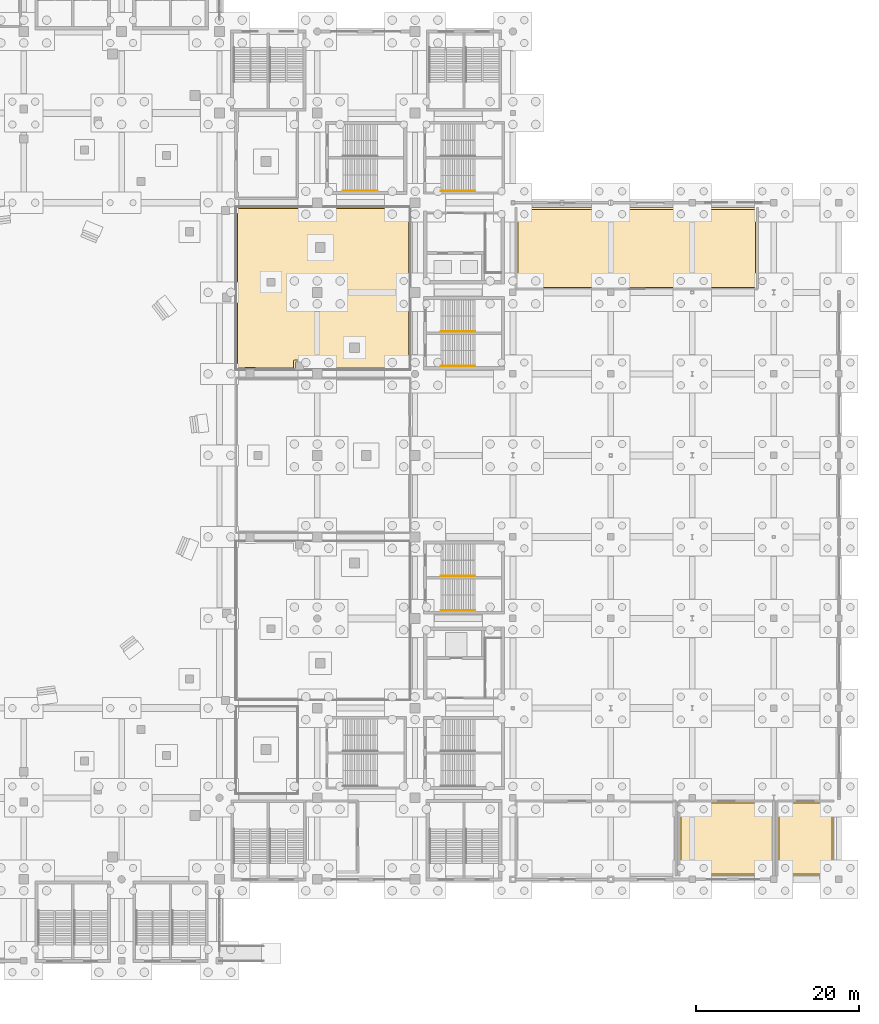
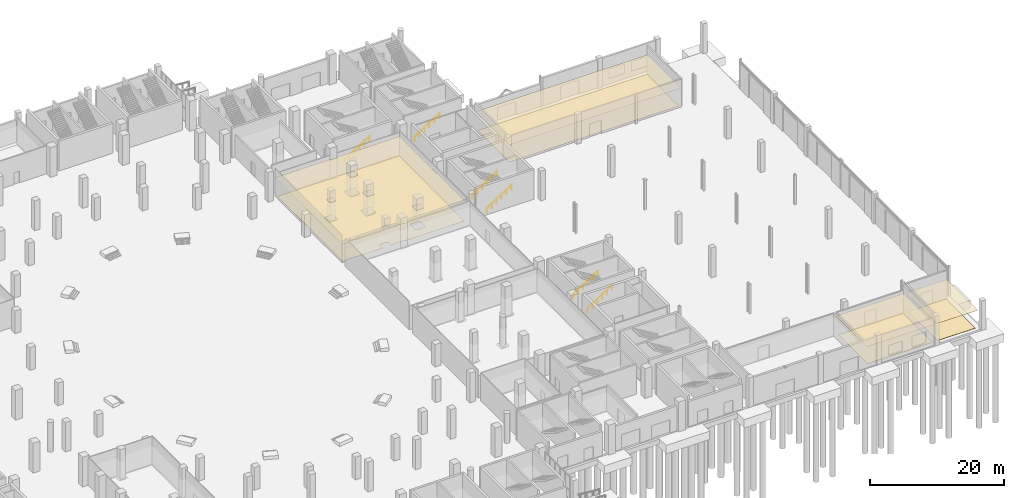
# One storey, part 68 of 70: 8 coverings, 6 railings.
"""IFC4 building model written with IfcOpenShell, lengths in metres."""

from ifc_helpers import new_model, si_unit, direction, frame, origin, origin_2d, place, context, subcontext, project, spatial, polyline, circle, outline, extrude, material, layer, layer_set, type_object, element, save


model = new_model("IFC4")

# Units and contexts
model_context = context("Model", 3, precision=1e-05, world=origin(), true_north=direction((0.0, 1.0)))
body_context = subcontext(model_context, "Body", "Model", "MODEL_VIEW")
ifc_project = project(units=[si_unit("LENGTHUNIT", "METRE"), si_unit("AREAUNIT", "SQUARE_METRE"), si_unit("VOLUMEUNIT", "CUBIC_METRE"), si_unit("PLANEANGLEUNIT", "RADIAN"), si_unit("MASSUNIT", "GRAM", prefix="KILO")], contexts=[model_context])

# Site, building, storey
site_placement = place(None, origin())
site = spatial("IfcSite", under=ifc_project, at=site_placement, CompositionType="ELEMENT")
building_placement = place(site_placement, origin())
building = spatial("IfcBuilding", under=site, at=building_placement, Name="Brinegate Civic Arena", CompositionType="ELEMENT")
storey_placement = place(building_placement, origin())
storey = spatial("IfcBuildingStorey", under=building, at=storey_placement, Name="L00", CompositionType="ELEMENT", Elevation=0.0)

# Coverings
ifc_material_1 = material(Name="Acoustic perforated aluminium ceiling", Category="aluminium")
ifc_layer_1 = layer(ifc_material_1, 0.034912109375, Name="Acoustic perforated aluminium ceiling")
ifc_layer_set_1 = layer_set([ifc_layer_1], Name="Acoustic perforated aluminium ceiling")
covering_type_1 = type_object("IfcCoveringType", Name="CEILING-ACOUSTIC-35", PredefinedType="CEILING", material=ifc_layer_set_1)
covering_1_placement = place(storey_placement, frame((0.0, 0.0, 3.31494140625)))
element("IfcCovering", 1, at=covering_1_placement, inside=storey, type_object=covering_type_1, Name="Acoustic Ceiling L00-005", PredefinedType="CEILING", context=body_context, shape_type="SweptSolid", body=[
    extrude(outline(polyline([(155.389892578125, 82.610107421875), (155.389892578125, 81.389892578125), (155.419921875, 81.389892578125), (155.419921875, 72.5), (155.419921875, 72.498046875), (155.419921875, 72.49609375), (155.4189453125, 72.493896484375), (155.41796875, 72.491943359375), (155.41796875, 72.490966796875), (155.4169921875, 72.489013671875), (155.4150390625, 72.487060546875), (155.4140625, 72.486083984375), (155.4130859375, 72.485107421875), (155.410888671875, 72.48291015625), (155.408935546875, 72.48193359375), (155.407958984375, 72.48193359375), (155.406005859375, 72.48095703125), (155.404052734375, 72.47998046875), (155.402099609375, 72.47998046875), (155.39990234375, 72.47998046875), (144.610107421875, 72.47998046875), (144.610107421875, 72.610107421875), (143.389892578125, 72.610107421875), (143.389892578125, 72.47998046875), (136.280029296875, 72.47998046875), (136.280029296875, 72.554931640625), (135.260009765625, 72.554931640625), (135.260009765625, 72.47998046875), (134.0, 72.47998046875), (133.998046875, 72.47998046875), (133.99609375, 72.47998046875), (133.993896484375, 72.48095703125), (133.991943359375, 72.48193359375), (133.990966796875, 72.48193359375), (133.989013671875, 72.48291015625), (133.987060546875, 72.485107421875), (133.986083984375, 72.486083984375), (133.985107421875, 72.487060546875), (133.98291015625, 72.489013671875), (133.98193359375, 72.490966796875), (133.98193359375, 72.491943359375), (133.98095703125, 72.493896484375), (133.97998046875, 72.49609375), (133.97998046875, 72.498046875), (133.97998046875, 72.5), (133.97998046875, 92.5), (133.97998046875, 92.501953125), (133.97998046875, 92.50390625), (133.98095703125, 92.506103515625), (133.98193359375, 92.508056640625), (133.98193359375, 92.509033203125), (133.98291015625, 92.510986328125), (133.985107421875, 92.512939453125), (133.986083984375, 92.513916015625), (133.987060546875, 92.514892578125), (133.989013671875, 92.51708984375), (133.990966796875, 92.51806640625), (133.991943359375, 92.51806640625), (133.993896484375, 92.51904296875), (133.99609375, 92.52001953125), (133.998046875, 92.52001953125), (134.0, 92.52001953125), (143.389892578125, 92.52001953125), (143.389892578125, 92.389892578125), (144.610107421875, 92.389892578125), (144.610107421875, 92.52001953125), (155.389892578125, 92.52001953125), (155.389892578125, 92.389892578125), (155.419921875, 92.389892578125), (155.419921875, 82.610107421875), (155.389892578125, 82.610107421875)]), holes=[polyline([(142.2919921875, 73.485107421875), (141.322021484375, 73.485107421875), (141.322021484375, 72.514892578125), (142.2919921875, 72.514892578125), (142.2919921875, 73.485107421875)]), polyline([(149.178955078125, 75.81005859375), (147.958984375, 75.81005859375), (147.958984375, 74.590087890625), (149.178955078125, 74.590087890625), (149.178955078125, 75.81005859375)]), polyline([(144.610107421875, 82.610107421875), (143.389892578125, 82.610107421875), (143.389892578125, 81.389892578125), (144.610107421875, 81.389892578125), (144.610107421875, 82.610107421875)]), polyline([(138.7958984375, 83.735107421875), (137.825927734375, 83.735107421875), (137.825927734375, 82.764892578125), (138.7958984375, 82.764892578125), (138.7958984375, 83.735107421875)]), polyline([(144.98291015625, 88.110107421875), (143.762939453125, 88.110107421875), (143.762939453125, 86.889892578125), (144.98291015625, 86.889892578125), (144.98291015625, 88.110107421875)])]), origin(), (0.0, 0.0, 1.0), 0.03515625),
])
covering_2_placement = place(storey_placement, frame((0.0, 0.0, 3.31494140625)))
element("IfcCovering", 2, at=covering_2_placement, inside=storey, type_object=covering_type_1, Name="Acoustic Ceiling L00-010", PredefinedType="CEILING", context=body_context, shape_type="SweptSolid", body=[
    extrude(outline(polyline([(200.00390625, 19.6201171875), (200.006103515625, 19.618896484375), (200.008056640625, 19.617919921875), (200.009033203125, 19.617919921875), (200.010986328125, 19.616943359375), (200.012939453125, 19.614990234375), (200.013916015625, 19.614013671875), (200.014892578125, 19.613037109375), (200.01708984375, 19.611083984375), (200.01806640625, 19.60888671875), (200.01806640625, 19.60791015625), (200.01904296875, 19.60595703125), (200.02001953125, 19.60400390625), (200.02001953125, 19.60205078125), (200.02001953125, 19.60009765625), (200.02001953125, 10.409912109375), (199.590087890625, 10.409912109375), (199.590087890625, 10.3798828125), (190.409912109375, 10.3798828125), (190.409912109375, 10.409912109375), (189.590087890625, 10.409912109375), (189.590087890625, 10.3798828125), (188.39990234375, 10.3798828125), (188.39794921875, 10.3798828125), (188.39599609375, 10.3798828125), (188.39404296875, 10.381103515625), (188.39208984375, 10.382080078125), (188.39111328125, 10.382080078125), (188.388916015625, 10.383056640625), (188.386962890625, 10.385009765625), (188.385986328125, 10.385986328125), (188.385009765625, 10.386962890625), (188.383056640625, 10.388916015625), (188.382080078125, 10.39111328125), (188.382080078125, 10.39208984375), (188.381103515625, 10.39404296875), (188.3798828125, 10.39599609375), (188.3798828125, 10.39794921875), (188.3798828125, 10.39990234375), (188.3798828125, 19.60009765625), (188.3798828125, 19.60205078125), (188.3798828125, 19.60400390625), (188.381103515625, 19.60595703125), (188.382080078125, 19.60791015625), (188.382080078125, 19.60888671875), (188.383056640625, 19.611083984375), (188.385009765625, 19.613037109375), (188.385986328125, 19.614013671875), (188.386962890625, 19.614990234375), (188.388916015625, 19.616943359375), (188.39111328125, 19.617919921875), (188.39208984375, 19.617919921875), (188.39404296875, 19.618896484375), (188.39599609375, 19.6201171875), (188.39794921875, 19.6201171875), (188.39990234375, 19.6201171875), (189.590087890625, 19.6201171875), (189.590087890625, 19.590087890625), (190.409912109375, 19.590087890625), (190.409912109375, 19.6201171875), (200.0, 19.6201171875), (200.001953125, 19.6201171875), (200.00390625, 19.6201171875)])), origin(), (0.0, 0.0, 1.0), 0.03515625),
])
ifc_layer_2 = layer(ifc_material_1, 0.044921875, Name="Acoustic perforated aluminium ceiling")
ifc_layer_set_2 = layer_set([ifc_layer_2], Name="Acoustic perforated aluminium ceiling")
covering_type_2 = type_object("IfcCoveringType", Name="CEILING-BAFFLE-45", PredefinedType="CEILING", material=ifc_layer_set_2)
covering_3_placement = place(storey_placement, frame((0.0, 0.0, 3.304931640625)))
element("IfcCovering", 3, at=covering_3_placement, inside=storey, type_object=covering_type_2, Name="Acoustic Ceiling L00-011", PredefinedType="CEILING", context=body_context, shape_type="SweptSolid", body=[
    extrude(outline(polyline([(207.404052734375, 19.6201171875), (207.406005859375, 19.618896484375), (207.407958984375, 19.617919921875), (207.408935546875, 19.617919921875), (207.410888671875, 19.616943359375), (207.4130859375, 19.614990234375), (207.4140625, 19.614013671875), (207.4150390625, 19.613037109375), (207.4169921875, 19.611083984375), (207.41796875, 19.60888671875), (207.41796875, 19.60791015625), (207.4189453125, 19.60595703125), (207.419921875, 19.60400390625), (207.419921875, 19.60205078125), (207.419921875, 19.60009765625), (207.419921875, 10.39990234375), (207.419921875, 10.39794921875), (207.419921875, 10.39599609375), (207.4189453125, 10.39404296875), (207.41796875, 10.39208984375), (207.41796875, 10.39111328125), (207.4169921875, 10.388916015625), (207.4150390625, 10.386962890625), (207.4140625, 10.385986328125), (207.4130859375, 10.385009765625), (207.410888671875, 10.383056640625), (207.408935546875, 10.382080078125), (207.407958984375, 10.382080078125), (207.406005859375, 10.381103515625), (207.404052734375, 10.3798828125), (207.402099609375, 10.3798828125), (207.39990234375, 10.3798828125), (200.409912109375, 10.3798828125), (200.409912109375, 10.409912109375), (200.3798828125, 10.409912109375), (200.3798828125, 19.60009765625), (200.3798828125, 19.60205078125), (200.3798828125, 19.60400390625), (200.381103515625, 19.60595703125), (200.382080078125, 19.60791015625), (200.382080078125, 19.60888671875), (200.383056640625, 19.611083984375), (200.385009765625, 19.613037109375), (200.385986328125, 19.614013671875), (200.386962890625, 19.614990234375), (200.388916015625, 19.616943359375), (200.39111328125, 19.617919921875), (200.39208984375, 19.617919921875), (200.39404296875, 19.618896484375), (200.39599609375, 19.6201171875), (200.39794921875, 19.6201171875), (200.39990234375, 19.6201171875), (207.39990234375, 19.6201171875), (207.402099609375, 19.6201171875), (207.404052734375, 19.6201171875)])), origin(), (0.0, 0.0, 1.0), 0.045166015625),
])
ifc_layer_3 = layer(ifc_material_1, 0.01806640625, Name="Acoustic perforated aluminium ceiling")
ifc_layer_set_3 = layer_set([ifc_layer_3], Name="Acoustic perforated aluminium ceiling")
covering_type_3 = type_object("IfcCoveringType", Name="CEILING-MOISTURE-18", PredefinedType="CEILING", material=ifc_layer_set_3)
covering_4_placement = place(storey_placement, frame((0.0, 0.0, 3.33203125)))
element("IfcCovering", 4, at=covering_4_placement, inside=storey, type_object=covering_type_3, Name="Acoustic Ceiling L00-008", PredefinedType="CEILING", context=body_context, shape_type="SweptSolid", body=[
    extrude(outline(polyline([(198.00390625, 92.419921875), (198.006103515625, 92.4189453125), (198.008056640625, 92.41796875), (198.009033203125, 92.41796875), (198.010986328125, 92.4169921875), (198.012939453125, 92.4150390625), (198.013916015625, 92.4140625), (198.014892578125, 92.4130859375), (198.01708984375, 92.410888671875), (198.01806640625, 92.408935546875), (198.01806640625, 92.407958984375), (198.01904296875, 92.406005859375), (198.02001953125, 92.404052734375), (198.02001953125, 92.402099609375), (198.02001953125, 92.39990234375), (198.02001953125, 82.39990234375), (198.02001953125, 82.39794921875), (198.02001953125, 82.39599609375), (198.01904296875, 82.39404296875), (198.01806640625, 82.39208984375), (198.01806640625, 82.39111328125), (198.01708984375, 82.388916015625), (198.014892578125, 82.386962890625), (198.013916015625, 82.385986328125), (198.012939453125, 82.385009765625), (198.010986328125, 82.383056640625), (198.009033203125, 82.382080078125), (198.008056640625, 82.382080078125), (198.006103515625, 82.381103515625), (198.00390625, 82.3798828125), (198.001953125, 82.3798828125), (198.0, 82.3798828125), (180.409912109375, 82.3798828125), (180.409912109375, 82.409912109375), (179.590087890625, 82.409912109375), (179.590087890625, 82.3798828125), (168.409912109375, 82.3798828125), (168.409912109375, 82.409912109375), (168.3798828125, 82.409912109375), (168.3798828125, 92.39990234375), (168.3798828125, 92.402099609375), (168.3798828125, 92.404052734375), (168.381103515625, 92.406005859375), (168.382080078125, 92.407958984375), (168.382080078125, 92.408935546875), (168.383056640625, 92.410888671875), (168.385009765625, 92.4130859375), (168.385986328125, 92.4140625), (168.386962890625, 92.4150390625), (168.388916015625, 92.4169921875), (168.39111328125, 92.41796875), (168.39208984375, 92.41796875), (168.39404296875, 92.4189453125), (168.39599609375, 92.419921875), (168.39794921875, 92.419921875), (168.39990234375, 92.419921875), (198.0, 92.419921875), (198.001953125, 92.419921875), (198.00390625, 92.419921875)])), origin(), (0.0, 0.0, 1.0), 0.01806640625),
])
ifc_material_2 = material(Name="Polished coral terrazzo flooring")
ifc_layer_4 = layer(ifc_material_2, 0.013916015625, Name="Polished coral terrazzo flooring")
ifc_layer_set_4 = layer_set([ifc_layer_4], Name="Polished coral terrazzo flooring")
covering_type_4 = type_object("IfcCoveringType", Name="FLOORING-ACOUSTIC-14", PredefinedType="FLOORING", material=ifc_layer_set_4)
covering_5_placement = place(storey_placement, origin())
element("IfcCovering", 5, at=covering_5_placement, inside=storey, type_object=covering_type_4, Name="Flooring L00-005", PredefinedType="FLOORING", context=body_context, shape_type="SweptSolid", body=[
    extrude(outline(polyline([(134.22998046875, 72.72998046875), (134.22998046875, 92.27001953125), (143.1708984375, 92.27001953125), (143.181884765625, 92.2509765625), (143.197021484375, 92.23095703125), (143.212890625, 92.212890625), (143.23095703125, 92.197021484375), (143.2509765625, 92.181884765625), (143.27197265625, 92.169921875), (143.2939453125, 92.158935546875), (143.31689453125, 92.15087890625), (143.341064453125, 92.14501953125), (143.364990234375, 92.14111328125), (143.389892578125, 92.139892578125), (144.610107421875, 92.139892578125), (144.635009765625, 92.14111328125), (144.658935546875, 92.14501953125), (144.68310546875, 92.15087890625), (144.7060546875, 92.158935546875), (144.72802734375, 92.169921875), (144.7490234375, 92.181884765625), (144.76904296875, 92.197021484375), (144.787109375, 92.212890625), (144.802978515625, 92.23095703125), (144.818115234375, 92.2509765625), (144.8291015625, 92.27001953125), (155.169921875, 92.27001953125), (155.169921875, 82.72900390625), (155.169921875, 82.72802734375), (155.158935546875, 82.7060546875), (155.15087890625, 82.68310546875), (155.14501953125, 82.658935546875), (155.14111328125, 82.635009765625), (155.139892578125, 82.610107421875), (155.139892578125, 81.389892578125), (155.14111328125, 81.364990234375), (155.14501953125, 81.341064453125), (155.15087890625, 81.31689453125), (155.158935546875, 81.2939453125), (155.169921875, 81.27197265625), (155.169921875, 81.27099609375), (155.169921875, 72.72998046875), (144.8291015625, 72.72998046875), (144.818115234375, 72.7490234375), (144.802978515625, 72.76904296875), (144.787109375, 72.787109375), (144.76904296875, 72.802978515625), (144.7490234375, 72.818115234375), (144.72802734375, 72.830078125), (144.7060546875, 72.841064453125), (144.68310546875, 72.84912109375), (144.658935546875, 72.85498046875), (144.635009765625, 72.85888671875), (144.610107421875, 72.860107421875), (143.389892578125, 72.860107421875), (143.364990234375, 72.85888671875), (143.341064453125, 72.85498046875), (143.31689453125, 72.84912109375), (143.2939453125, 72.841064453125), (143.27197265625, 72.830078125), (143.2509765625, 72.818115234375), (143.23095703125, 72.802978515625), (143.212890625, 72.787109375), (143.197021484375, 72.76904296875), (143.181884765625, 72.7490234375), (143.1708984375, 72.72998046875), (142.5419921875, 72.72998046875), (142.5419921875, 73.485107421875), (142.541015625, 73.510009765625), (142.537109375, 73.533935546875), (142.531005859375, 73.55810546875), (142.52294921875, 73.5810546875), (142.511962890625, 73.60302734375), (142.5, 73.6240234375), (142.485107421875, 73.64404296875), (142.468994140625, 73.662109375), (142.450927734375, 73.677978515625), (142.430908203125, 73.693115234375), (142.409912109375, 73.705078125), (142.387939453125, 73.716064453125), (142.364990234375, 73.72412109375), (142.341064453125, 73.72998046875), (142.31689453125, 73.73388671875), (142.2919921875, 73.735107421875), (141.322021484375, 73.735107421875), (141.297119140625, 73.73388671875), (141.27294921875, 73.72998046875), (141.2490234375, 73.72412109375), (141.22607421875, 73.716064453125), (141.2041015625, 73.705078125), (141.18310546875, 73.693115234375), (141.1630859375, 73.677978515625), (141.14501953125, 73.662109375), (141.12890625, 73.64404296875), (141.114013671875, 73.6240234375), (141.10205078125, 73.60302734375), (141.091064453125, 73.5810546875), (141.0830078125, 73.55810546875), (141.076904296875, 73.533935546875), (141.072998046875, 73.510009765625), (141.072021484375, 73.485107421875), (141.072021484375, 72.72998046875), (136.4580078125, 72.72998046875), (136.45703125, 72.73193359375), (136.43896484375, 72.748046875), (136.4189453125, 72.762939453125), (136.39794921875, 72.77490234375), (136.3759765625, 72.785888671875), (136.35302734375, 72.7939453125), (136.3291015625, 72.800048828125), (136.304931640625, 72.803955078125), (136.280029296875, 72.804931640625), (135.260009765625, 72.804931640625), (135.235107421875, 72.803955078125), (135.2109375, 72.800048828125), (135.18701171875, 72.7939453125), (135.1640625, 72.785888671875), (135.14208984375, 72.77490234375), (135.12109375, 72.762939453125), (135.10107421875, 72.748046875), (135.0830078125, 72.73193359375), (135.08203125, 72.72998046875), (134.22998046875, 72.72998046875)]), holes=[polyline([(149.428955078125, 75.81005859375), (149.427978515625, 75.8349609375), (149.424072265625, 75.85888671875), (149.41796875, 75.883056640625), (149.409912109375, 75.906005859375), (149.39892578125, 75.927978515625), (149.386962890625, 75.948974609375), (149.3720703125, 75.968994140625), (149.35595703125, 75.987060546875), (149.337890625, 76.0029296875), (149.318115234375, 76.01806640625), (149.297119140625, 76.030029296875), (149.27490234375, 76.041015625), (149.251953125, 76.049072265625), (149.22802734375, 76.054931640625), (149.2041015625, 76.05908203125), (149.178955078125, 76.06005859375), (147.958984375, 76.06005859375), (147.93408203125, 76.05908203125), (147.909912109375, 76.054931640625), (147.885986328125, 76.049072265625), (147.863037109375, 76.041015625), (147.841064453125, 76.030029296875), (147.820068359375, 76.01806640625), (147.800048828125, 76.0029296875), (147.781982421875, 75.987060546875), (147.76611328125, 75.968994140625), (147.7509765625, 75.948974609375), (147.739013671875, 75.927978515625), (147.72802734375, 75.906005859375), (147.719970703125, 75.883056640625), (147.714111328125, 75.85888671875), (147.7099609375, 75.8349609375), (147.708984375, 75.81005859375), (147.708984375, 74.590087890625), (147.7099609375, 74.56494140625), (147.714111328125, 74.541015625), (147.719970703125, 74.51708984375), (147.72802734375, 74.493896484375), (147.739013671875, 74.471923828125), (147.7509765625, 74.450927734375), (147.76611328125, 74.430908203125), (147.781982421875, 74.4130859375), (147.800048828125, 74.39697265625), (147.820068359375, 74.382080078125), (147.841064453125, 74.3701171875), (147.863037109375, 74.35888671875), (147.885986328125, 74.35107421875), (147.909912109375, 74.344970703125), (147.93408203125, 74.341064453125), (147.958984375, 74.340087890625), (149.178955078125, 74.340087890625), (149.2041015625, 74.341064453125), (149.22802734375, 74.344970703125), (149.251953125, 74.35107421875), (149.27490234375, 74.35888671875), (149.297119140625, 74.3701171875), (149.318115234375, 74.382080078125), (149.337890625, 74.39697265625), (149.35595703125, 74.4130859375), (149.3720703125, 74.430908203125), (149.386962890625, 74.450927734375), (149.39892578125, 74.471923828125), (149.409912109375, 74.493896484375), (149.41796875, 74.51708984375), (149.424072265625, 74.541015625), (149.427978515625, 74.56494140625), (149.428955078125, 74.590087890625), (149.428955078125, 75.81005859375)]), polyline([(145.23291015625, 88.110107421875), (145.23193359375, 88.135009765625), (145.22802734375, 88.158935546875), (145.221923828125, 88.18310546875), (145.214111328125, 88.2060546875), (145.202880859375, 88.22802734375), (145.19091796875, 88.2490234375), (145.176025390625, 88.26904296875), (145.159912109375, 88.287109375), (145.14208984375, 88.302978515625), (145.1220703125, 88.318115234375), (145.10107421875, 88.330078125), (145.0791015625, 88.341064453125), (145.055908203125, 88.34912109375), (145.031982421875, 88.35498046875), (145.008056640625, 88.35888671875), (144.98291015625, 88.360107421875), (143.762939453125, 88.360107421875), (143.738037109375, 88.35888671875), (143.714111328125, 88.35498046875), (143.68994140625, 88.34912109375), (143.6669921875, 88.341064453125), (143.64501953125, 88.330078125), (143.6240234375, 88.318115234375), (143.60400390625, 88.302978515625), (143.5859375, 88.287109375), (143.570068359375, 88.26904296875), (143.554931640625, 88.2490234375), (143.54296875, 88.22802734375), (143.531982421875, 88.2060546875), (143.52392578125, 88.18310546875), (143.51806640625, 88.158935546875), (143.513916015625, 88.135009765625), (143.512939453125, 88.110107421875), (143.512939453125, 86.889892578125), (143.513916015625, 86.864990234375), (143.51806640625, 86.841064453125), (143.52392578125, 86.81689453125), (143.531982421875, 86.7939453125), (143.54296875, 86.77197265625), (143.554931640625, 86.7509765625), (143.570068359375, 86.73095703125), (143.5859375, 86.712890625), (143.60400390625, 86.697021484375), (143.6240234375, 86.681884765625), (143.64501953125, 86.669921875), (143.6669921875, 86.658935546875), (143.68994140625, 86.65087890625), (143.714111328125, 86.64501953125), (143.738037109375, 86.64111328125), (143.762939453125, 86.639892578125), (144.98291015625, 86.639892578125), (145.008056640625, 86.64111328125), (145.031982421875, 86.64501953125), (145.055908203125, 86.65087890625), (145.0791015625, 86.658935546875), (145.10107421875, 86.669921875), (145.1220703125, 86.681884765625), (145.14208984375, 86.697021484375), (145.159912109375, 86.712890625), (145.176025390625, 86.73095703125), (145.19091796875, 86.7509765625), (145.202880859375, 86.77197265625), (145.214111328125, 86.7939453125), (145.221923828125, 86.81689453125), (145.22802734375, 86.841064453125), (145.23193359375, 86.864990234375), (145.23291015625, 86.889892578125), (145.23291015625, 88.110107421875)]), polyline([(144.860107421875, 82.610107421875), (144.85888671875, 82.635009765625), (144.85498046875, 82.658935546875), (144.84912109375, 82.68310546875), (144.841064453125, 82.7060546875), (144.830078125, 82.72802734375), (144.818115234375, 82.7490234375), (144.802978515625, 82.76904296875), (144.787109375, 82.787109375), (144.76904296875, 82.802978515625), (144.7490234375, 82.818115234375), (144.72802734375, 82.830078125), (144.7060546875, 82.841064453125), (144.68310546875, 82.84912109375), (144.658935546875, 82.85498046875), (144.635009765625, 82.85888671875), (144.610107421875, 82.860107421875), (143.389892578125, 82.860107421875), (143.364990234375, 82.85888671875), (143.341064453125, 82.85498046875), (143.31689453125, 82.84912109375), (143.2939453125, 82.841064453125), (143.27197265625, 82.830078125), (143.2509765625, 82.818115234375), (143.23095703125, 82.802978515625), (143.212890625, 82.787109375), (143.197021484375, 82.76904296875), (143.181884765625, 82.7490234375), (143.169921875, 82.72802734375), (143.158935546875, 82.7060546875), (143.15087890625, 82.68310546875), (143.14501953125, 82.658935546875), (143.14111328125, 82.635009765625), (143.139892578125, 82.610107421875), (143.139892578125, 81.389892578125), (143.14111328125, 81.364990234375), (143.14501953125, 81.341064453125), (143.15087890625, 81.31689453125), (143.158935546875, 81.2939453125), (143.169921875, 81.27197265625), (143.181884765625, 81.2509765625), (143.197021484375, 81.23095703125), (143.212890625, 81.212890625), (143.23095703125, 81.197021484375), (143.2509765625, 81.181884765625), (143.27197265625, 81.169921875), (143.2939453125, 81.158935546875), (143.31689453125, 81.15087890625), (143.341064453125, 81.14501953125), (143.364990234375, 81.14111328125), (143.389892578125, 81.139892578125), (144.610107421875, 81.139892578125), (144.635009765625, 81.14111328125), (144.658935546875, 81.14501953125), (144.68310546875, 81.15087890625), (144.7060546875, 81.158935546875), (144.72802734375, 81.169921875), (144.7490234375, 81.181884765625), (144.76904296875, 81.197021484375), (144.787109375, 81.212890625), (144.802978515625, 81.23095703125), (144.818115234375, 81.2509765625), (144.830078125, 81.27197265625), (144.841064453125, 81.2939453125), (144.84912109375, 81.31689453125), (144.85498046875, 81.341064453125), (144.85888671875, 81.364990234375), (144.860107421875, 81.389892578125), (144.860107421875, 82.610107421875)]), polyline([(139.0458984375, 83.735107421875), (139.044921875, 83.760009765625), (139.041015625, 83.783935546875), (139.034912109375, 83.80810546875), (139.027099609375, 83.8310546875), (139.01611328125, 83.85302734375), (139.00390625, 83.8740234375), (138.989013671875, 83.89404296875), (138.972900390625, 83.912109375), (138.955078125, 83.927978515625), (138.93505859375, 83.943115234375), (138.9140625, 83.955078125), (138.89208984375, 83.966064453125), (138.868896484375, 83.97412109375), (138.844970703125, 83.97998046875), (138.821044921875, 83.98388671875), (138.7958984375, 83.985107421875), (137.825927734375, 83.985107421875), (137.801025390625, 83.98388671875), (137.777099609375, 83.97998046875), (137.7529296875, 83.97412109375), (137.72998046875, 83.966064453125), (137.7080078125, 83.955078125), (137.68701171875, 83.943115234375), (137.6669921875, 83.927978515625), (137.64892578125, 83.912109375), (137.633056640625, 83.89404296875), (137.617919921875, 83.8740234375), (137.60595703125, 83.85302734375), (137.594970703125, 83.8310546875), (137.5869140625, 83.80810546875), (137.5810546875, 83.783935546875), (137.576904296875, 83.760009765625), (137.575927734375, 83.735107421875), (137.575927734375, 82.764892578125), (137.576904296875, 82.739990234375), (137.5810546875, 82.716064453125), (137.5869140625, 82.69189453125), (137.594970703125, 82.6689453125), (137.60595703125, 82.64697265625), (137.617919921875, 82.6259765625), (137.633056640625, 82.60595703125), (137.64892578125, 82.587890625), (137.6669921875, 82.572021484375), (137.68701171875, 82.556884765625), (137.7080078125, 82.544921875), (137.72998046875, 82.533935546875), (137.7529296875, 82.52587890625), (137.777099609375, 82.52001953125), (137.801025390625, 82.51611328125), (137.825927734375, 82.514892578125), (138.7958984375, 82.514892578125), (138.821044921875, 82.51611328125), (138.844970703125, 82.52001953125), (138.868896484375, 82.52587890625), (138.89208984375, 82.533935546875), (138.9140625, 82.544921875), (138.93505859375, 82.556884765625), (138.955078125, 82.572021484375), (138.972900390625, 82.587890625), (138.989013671875, 82.60595703125), (139.00390625, 82.6259765625), (139.01611328125, 82.64697265625), (139.027099609375, 82.6689453125), (139.034912109375, 82.69189453125), (139.041015625, 82.716064453125), (139.044921875, 82.739990234375), (139.0458984375, 82.764892578125), (139.0458984375, 83.735107421875)])]), origin(), (0.0, 0.0, 1.0), 0.013916015625),
])
covering_6_placement = place(storey_placement, origin())
element("IfcCovering", 6, at=covering_6_placement, inside=storey, type_object=covering_type_4, Name="Flooring L00-008", PredefinedType="FLOORING", context=body_context, shape_type="SweptSolid", body=[
    extrude(outline(polyline([(168.6298828125, 92.169921875), (197.77001953125, 92.169921875), (197.77001953125, 82.6298828125), (180.529052734375, 82.6298828125), (180.528076171875, 82.6298828125), (180.506103515625, 82.64111328125), (180.48291015625, 82.64892578125), (180.458984375, 82.655029296875), (180.43505859375, 82.658935546875), (180.409912109375, 82.659912109375), (179.590087890625, 82.659912109375), (179.56494140625, 82.658935546875), (179.541015625, 82.655029296875), (179.51708984375, 82.64892578125), (179.493896484375, 82.64111328125), (179.471923828125, 82.6298828125), (179.470947265625, 82.6298828125), (168.6298828125, 82.6298828125), (168.6298828125, 92.169921875)])), origin(), (0.0, 0.0, 1.0), 0.013916015625),
])
covering_7_placement = place(storey_placement, origin())
element("IfcCovering", 7, at=covering_7_placement, inside=storey, type_object=covering_type_4, Name="Flooring L00-010", PredefinedType="FLOORING", context=body_context, shape_type="SweptSolid", body=[
    extrude(outline(polyline([(188.6298828125, 10.6298828125), (188.6298828125, 19.3701171875), (189.470947265625, 19.3701171875), (189.471923828125, 19.3701171875), (189.493896484375, 19.35888671875), (189.51708984375, 19.35107421875), (189.541015625, 19.344970703125), (189.56494140625, 19.341064453125), (189.590087890625, 19.340087890625), (190.409912109375, 19.340087890625), (190.43505859375, 19.341064453125), (190.458984375, 19.344970703125), (190.48291015625, 19.35107421875), (190.506103515625, 19.35888671875), (190.528076171875, 19.3701171875), (190.529052734375, 19.3701171875), (199.77001953125, 19.3701171875), (199.77001953125, 10.659912109375), (199.590087890625, 10.659912109375), (199.56494140625, 10.658935546875), (199.541015625, 10.655029296875), (199.51708984375, 10.64892578125), (199.493896484375, 10.64111328125), (199.471923828125, 10.6298828125), (199.470947265625, 10.6298828125), (190.529052734375, 10.6298828125), (190.528076171875, 10.6298828125), (190.506103515625, 10.64111328125), (190.48291015625, 10.64892578125), (190.458984375, 10.655029296875), (190.43505859375, 10.658935546875), (190.409912109375, 10.659912109375), (189.590087890625, 10.659912109375), (189.56494140625, 10.658935546875), (189.541015625, 10.655029296875), (189.51708984375, 10.64892578125), (189.493896484375, 10.64111328125), (189.471923828125, 10.6298828125), (189.470947265625, 10.6298828125), (188.6298828125, 10.6298828125)])), origin(), (0.0, 0.0, 1.0), 0.013916015625),
])
ifc_layer_5 = layer(ifc_material_2, 0.028076171875, Name="Polished coral terrazzo flooring")
ifc_layer_set_5 = layer_set([ifc_layer_5], Name="Polished coral terrazzo flooring")
covering_type_5 = type_object("IfcCoveringType", Name="FLOORING-TERRAZZO-28", PredefinedType="FLOORING", material=ifc_layer_set_5)
covering_8_placement = place(storey_placement, origin())
element("IfcCovering", 8, at=covering_8_placement, inside=storey, type_object=covering_type_5, Name="Flooring L00-011", PredefinedType="FLOORING", context=body_context, shape_type="SweptSolid", body=[
    extrude(outline(polyline([(200.6298828125, 19.3701171875), (207.169921875, 19.3701171875), (207.169921875, 10.6298828125), (200.6298828125, 10.6298828125), (200.6298828125, 19.3701171875)])), origin(), (0.0, 0.0, 1.0), 0.028076171875),
])

# Railings
ifc_material_3 = material(Name="Architectural stainless steel balustrade", Category="steel")
railing_type = type_object("IfcRailingType", Name="RAIL-STAIR-HANDRAIL-900", PredefinedType="HANDRAIL", material=ifc_material_3)
for number, where, name in (
    (9, (159.169921875, 72.97509765625, 0.0), "Stair Pitch Handrail ST-09A L00"),
    (10, (159.169921875, 77.22509765625, 0.0), "Stair Pitch Handrail ST-09B L00"),
    (11, (159.169921875, 42.955078125, 0.0), "Stair Pitch Handrail ST-10A L00"),
    (12, (159.169921875, 47.22509765625, 0.0), "Stair Pitch Handrail ST-10B L00"),
    (13, (147.169921875, 94.47509765625, 0.0), "Stair Pitch Handrail ST-18A L00"),
    (14, (159.169921875, 94.425048828125, 0.0), "Stair Pitch Handrail ST-20A L00"),
):
    element("IfcRailing", number, at=place(storey_placement, frame(where)), inside=storey, type_object=railing_type, Name=name, PredefinedType="HANDRAIL", context=body_context, shape_type="SweptSolid", body=[
        extrude(circle(Radius=0.02392578125, at=origin_2d()), frame((0.001220703125, 0.0, 0.876708984375), z_axis=(0.841194361566, 0.0, 0.540732878665), x_axis=(0.0, 1.0, 0.0)), (0.0, 0.0, 1.0), 4.990234375),
        extrude(circle(Radius=0.02099609375, at=origin_2d()), origin(), (0.0, 0.0, 1.0), 0.849853515625),
        extrude(circle(Radius=0.02099609375, at=origin_2d()), frame((0.840087890625, 0.0, 0.5400390625)), (0.0, 0.0, 1.0), 0.849853515625),
        extrude(circle(Radius=0.02099609375, at=origin_2d()), frame((1.68017578125, 0.0, 1.080078125)), (0.0, 0.0, 1.0), 0.849853515625),
        extrude(circle(Radius=0.02099609375, at=origin_2d()), frame((2.52001953125, 0.0, 1.619873046875)), (0.0, 0.0, 1.0), 0.849853515625),
        extrude(circle(Radius=0.02099609375, at=origin_2d()), frame((3.360107421875, 0.0, 2.159912109375)), (0.0, 0.0, 1.0), 0.849853515625),
        extrude(circle(Radius=0.02099609375, at=origin_2d()), frame((4.2001953125, 0.0, 2.699951171875)), (0.0, 0.0, 1.0), 0.849853515625),
    ])

save(model, "model.ifc")
